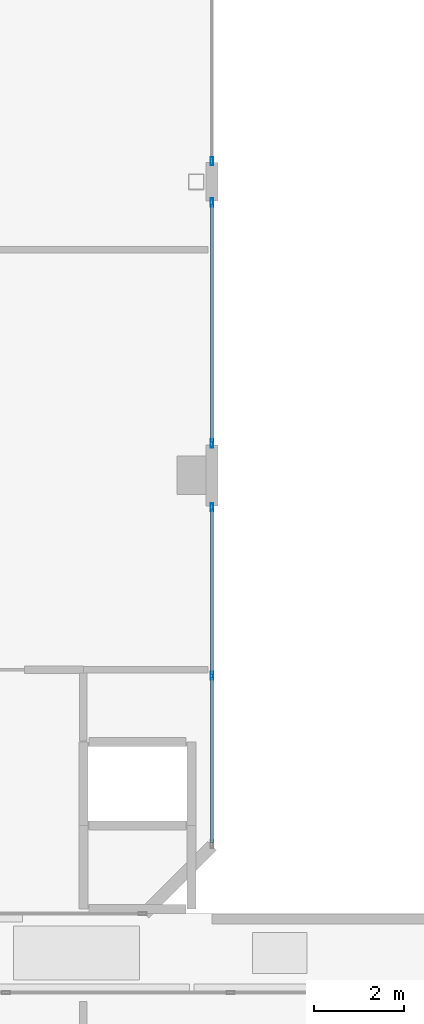
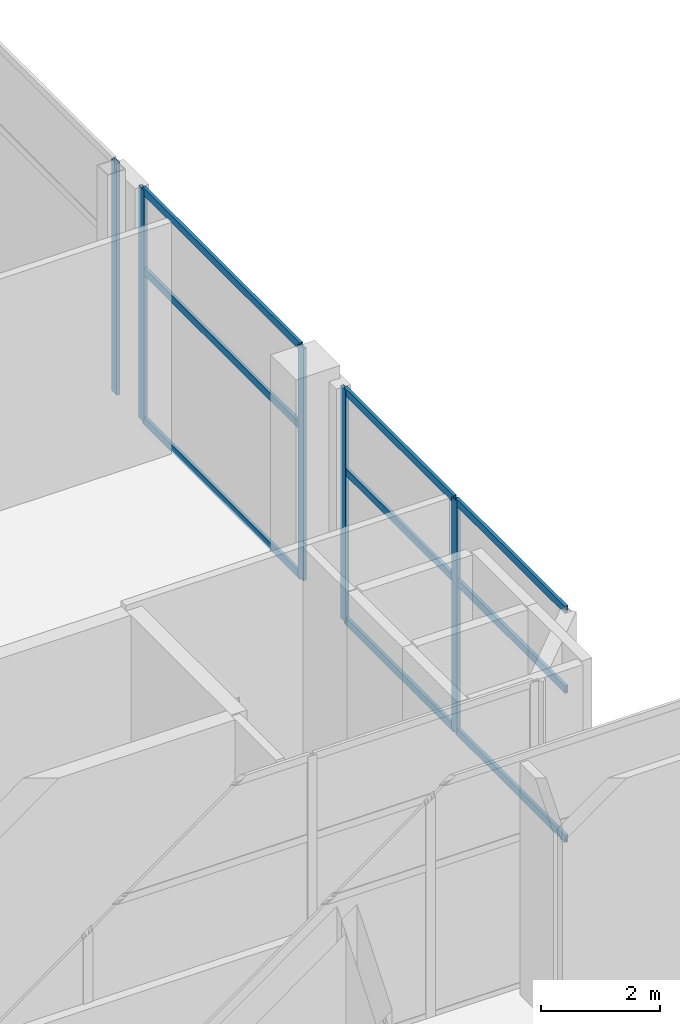
# One storey, part 11 of 18: 14 members, 3 elements without a shape of their own.
"""IFC4 building model written with IfcOpenShell, lengths in metres."""

import ifcopenshell
import ifcopenshell.guid

model = None  # the IFC model being written
_history = None  # IfcOwnerHistory: only IFC2X3 demands one
_inside = {}  # id of a spatial element -> (the spatial element, [elements in it])
_under = {}  # id of a project, library or spatial element -> (it, [spatial elements below it])
_declared = {}  # id of a project -> (the project, [libraries it declares])
_typed = {}  # id of a type object -> (the type object, [elements of that type])
_made_of = {}  # id of a material, layer set ... -> (it, [elements and type objects made of it])


def new_model(schema):
    """Start an empty IFC model of exactly this schema.

    Asked for "IFC4X3", IfcOpenShell would pick the latest addendum, in which some entities
    have other attributes; the version numbers below select the first issue.
    IFC2X3 requires an IfcOwnerHistory on every rooted entity: one is made here for all.
    """
    global model, _history
    if schema == "IFC4X3":
        model = ifcopenshell.file(schema_version=(4, 3, 0, 0))
    else:
        model = ifcopenshell.file(schema=schema)
    _inside.clear()
    _under.clear()
    _declared.clear()
    _typed.clear()
    _made_of.clear()
    _history = None
    if model.schema == "IFC2X3":
        org = make("IfcOrganization", Name="unknown")
        user = make(
            "IfcPersonAndOrganization",
            ThePerson=make("IfcPerson", FamilyName="unknown"),
            TheOrganization=org,
        )
        app = make(
            "IfcApplication",
            ApplicationDeveloper=org,
            Version="unknown",
            ApplicationFullName="unknown",
            ApplicationIdentifier="unknown",
        )
        _history = make(
            "IfcOwnerHistory",
            OwningUser=user,
            OwningApplication=app,
            ChangeAction="ADDED",
            CreationDate=0,
        )
    return model


def make(cls, **values):
    """One entity of the class cls with the attributes given. An attribute that is None is left unset."""
    return model.create_entity(
        cls, **{name: value for name, value in values.items() if value is not None}
    )


def rooted(cls, **values):
    """An entity with a GlobalId (a new one), such as an element, a storey or a relation."""
    return make(cls, GlobalId=ifcopenshell.guid.new(), OwnerHistory=_history, **values)


def si_unit(unit_type, name, prefix=None):
    """IfcSIUnit, for example si_unit("LENGTHUNIT", "METRE", prefix="MILLI")."""
    return make("IfcSIUnit", UnitType=unit_type, Prefix=prefix, Name=name)


def assignment(units):
    """IfcUnitAssignment: the units of a project."""
    return None if units is None else make("IfcUnitAssignment", Units=units)


def point(xyz):
    """IfcCartesianPoint."""
    return None if xyz is None else make("IfcCartesianPoint", Coordinates=xyz)


def direction(xyz):
    """IfcDirection."""
    return None if xyz is None else make("IfcDirection", DirectionRatios=xyz)


def frame(location, z_axis=None, x_axis=None):
    """IfcAxis2Placement3D, a coordinate frame: its origin and axes. An axis left out is left unset."""
    return make(
        "IfcAxis2Placement3D",
        Location=point(location),
        Axis=direction(z_axis),
        RefDirection=direction(x_axis),
    )


def frame_2d(location, x_axis=None):
    """IfcAxis2Placement2D, a coordinate frame in the plane: its origin and x axis."""
    return make(
        "IfcAxis2Placement2D", Location=point(location), RefDirection=direction(x_axis)
    )


def origin():
    """The frame at (0, 0, 0) with its axes left unset."""
    return frame((0.0, 0.0, 0.0))


def origin_2d():
    """The frame at (0, 0) in the plane with its x axis left unset."""
    return frame_2d((0.0, 0.0))


def place(relative_to, where):
    """IfcLocalPlacement: puts the frame where relative to a parent placement (None: the world)."""
    return make(
        "IfcLocalPlacement", PlacementRelTo=relative_to, RelativePlacement=where
    )


def context(
    kind, dimensions, precision=None, world=None, true_north=None, identifier=None
):
    """IfcGeometricRepresentationContext, for example the 3D "Model" context."""
    return make(
        "IfcGeometricRepresentationContext",
        ContextIdentifier=identifier,
        ContextType=kind,
        CoordinateSpaceDimension=dimensions,
        Precision=precision,
        WorldCoordinateSystem=world,
        TrueNorth=true_north,
    )


def subcontext(parent, identifier, kind, view, scale=None):
    """IfcGeometricRepresentationSubContext, for example "Body" below "Model"."""
    return make(
        "IfcGeometricRepresentationSubContext",
        ContextIdentifier=identifier,
        ContextType=kind,
        ParentContext=parent,
        TargetScale=scale,
        TargetView=view,
    )


def project(units=None, contexts=None):
    """IfcProject with its units and contexts."""
    return rooted(
        "IfcProject",
        Name="project",
        RepresentationContexts=contexts,
        UnitsInContext=assignment(units),
    )


def spatial(cls, under=None, at=None, **own):
    """A site, building, storey or space (cls), placed at a placement, below another one or the project."""
    s = rooted(cls, ObjectPlacement=at, **own)
    if under is not None:
        _under.setdefault(under.id(), (under, []))[1].append(s)
    return s


def profile(cls, at=None, kind="AREA", **sizes):
    """A parametric profile (cls). Its sizes go by their IFC names, for example OverallWidth=200.0."""
    return make(cls, ProfileType=kind, Position=at, **sizes)


def hollow_rectangle(**sizes):
    """IfcRectangleHollowProfileDef."""
    return profile("IfcRectangleHollowProfileDef", **sizes)


def extrude(swept, where, along, depth):
    """IfcExtrudedAreaSolid: the profile swept, set in the frame where, extruded along a direction by depth."""
    return make(
        "IfcExtrudedAreaSolid",
        SweptArea=swept,
        Position=where,
        ExtrudedDirection=direction(along),
        Depth=depth,
    )


def shape(context_of_items, identifier, shape_type, items):
    """IfcShapeRepresentation: the items that make up one representation, for example the "Body"."""
    return make(
        "IfcShapeRepresentation",
        ContextOfItems=context_of_items,
        RepresentationIdentifier=identifier,
        RepresentationType=shape_type,
        Items=items,
    )


def material(Name=None, Category=None):
    """IfcMaterial."""
    return make("IfcMaterial", Name=Name, Category=Category)


def layer(
    of_material, thickness, ventilated=None, Name=None, Category=None, Priority=None
):
    """IfcMaterialLayer: one layer of a wall or slab, of a material (None: an air gap)."""
    return make(
        "IfcMaterialLayer",
        Material=of_material,
        LayerThickness=thickness,
        IsVentilated=ventilated,
        Name=Name,
        Category=Category,
        Priority=Priority,
    )


def layer_set(layers, Name=None):
    """IfcMaterialLayerSet."""
    return make("IfcMaterialLayerSet", MaterialLayers=layers, LayerSetName=Name)


def material_profile(
    of_material, cross_section, Name=None, Category=None, Priority=None
):
    """IfcMaterialProfile: a cross section and its material."""
    return make(
        "IfcMaterialProfile",
        Name=Name,
        Material=of_material,
        Profile=cross_section,
        Priority=Priority,
        Category=Category,
    )


def profile_set(profiles, Name=None, composite=None):
    """IfcMaterialProfileSet."""
    return make(
        "IfcMaterialProfileSet",
        Name=Name,
        MaterialProfiles=profiles,
        CompositeProfile=composite,
    )


def made_of(thing, what):
    """Note that an element or type object is made of a material, layer set ...; save() writes the relation."""
    if what is not None:
        _made_of.setdefault(what.id(), (what, []))[1].append(thing)
    return thing


def type_object(cls, material=None, **own):
    """A type object (cls), such as IfcWallType, which elements share."""
    return made_of(rooted(cls, **own), material)


def element(
    cls,
    number,
    at=None,
    inside=None,
    cuts=None,
    type_object=None,
    material=None,
    context=None,
    identifier="Body",
    shape_type=None,
    held_by="IfcProductDefinitionShape",
    body=None,
    shapes=None,
    **own,
):
    """One element of the class cls, such as IfcWall. Its Tag is "e" and its number.

    at: its placement. inside: the storey or other place that contains it. cuts: it is an
    opening in that element (IfcRelVoidsElement). A single representation is given by context,
    identifier, shape_type and body (its items); several are given by shapes. held_by: the class
    of the entity that holds the representations. save() writes the other relations.
    """
    e = rooted(cls, Tag="e%d" % number, ObjectPlacement=at, **own)
    if body is not None:
        shapes = [shape(context, identifier, shape_type, body)]
    if shapes is not None:
        e.Representation = make(held_by, Representations=shapes)
    if inside is not None:
        _inside.setdefault(inside.id(), (inside, []))[1].append(e)
    if cuts is not None:
        rooted(
            "IfcRelVoidsElement", RelatingBuildingElement=cuts, RelatedOpeningElement=e
        )
    if type_object is not None:
        _typed.setdefault(type_object.id(), (type_object, []))[1].append(e)
    return made_of(e, material)


def aggregate(whole, parts):
    """IfcRelAggregates: a whole, such as a stair, and the parts it consists of."""
    return rooted("IfcRelAggregates", RelatingObject=whole, RelatedObjects=parts)


def save(model, path):
    """Write the relations noted so far, then the file.

    IfcRelAggregates (storeys below a building ...), IfcRelContainedInSpatialStructure (elements
    in a storey), IfcRelDefinesByType, IfcRelAssociatesMaterial and IfcRelDeclares: one each for
    every whole, place, type object, material and project.
    """
    for whole, parts in _under.values():
        aggregate(whole, parts)
    for where, things in _inside.values():
        rooted(
            "IfcRelContainedInSpatialStructure",
            RelatedElements=things,
            RelatingStructure=where,
        )
    for kind, things in _typed.values():
        rooted("IfcRelDefinesByType", RelatedObjects=things, RelatingType=kind)
    for what, things in _made_of.values():
        rooted("IfcRelAssociatesMaterial", RelatedObjects=things, RelatingMaterial=what)
    for by, libraries in _declared.values():
        rooted("IfcRelDeclares", RelatingContext=by, RelatedDefinitions=libraries)
    model.write(path)


model = new_model("IFC4")

# Units and contexts
model_context = context("Model", 3, precision=1e-05, world=origin(), true_north=direction((0.0, 1.0)))
body_context = subcontext(model_context, "Body", "Model", "MODEL_VIEW")
ifc_project = project(units=[si_unit("LENGTHUNIT", "METRE"), si_unit("AREAUNIT", "SQUARE_METRE"), si_unit("VOLUMEUNIT", "CUBIC_METRE"), si_unit("PLANEANGLEUNIT", "RADIAN"), si_unit("MASSUNIT", "GRAM", prefix="KILO")], contexts=[model_context])

# Site, building, storey
site_placement = place(None, origin())
site = spatial("IfcSite", under=ifc_project, at=site_placement, CompositionType="ELEMENT")
building_placement = place(site_placement, origin())
building = spatial("IfcBuilding", under=site, at=building_placement, Name="Mawjaban Terraces University", CompositionType="ELEMENT")
storey_placement = place(building_placement, frame((0.0, 0.0, 316.699951171875)))
storey = spatial("IfcBuildingStorey", under=building, at=storey_placement, Name="L77", CompositionType="ELEMENT", Elevation=316.699951171875)

# Curtain wall, members
ifc_material_1 = material(Name="Anodised aluminium 6063-T6 and solar-control low-E glass", Category="aluminium")
ifc_layer = layer(ifc_material_1, 0.199951171875)
ifc_layer_set = layer_set([ifc_layer], Name="Anodised aluminium 6063-T6 and solar-control low-E glass")
curtain_wall_type = type_object("IfcCurtainWallType", Name="CWSystem_06_ObservationCrown", PredefinedType="NOTDEFINED", material=ifc_layer_set)
curtain_wall_1_placement = place(storey_placement, origin())
curtain_wall_1 = element("IfcCurtainWall", 1, at=curtain_wall_1_placement, inside=storey, type_object=curtain_wall_type, Name="L77 Curtain Wall CW-06 Run 3.1", PredefinedType="NOTDEFINED")
ifc_material_2 = material(Name="Anodised aluminium 6063-T6", Category="aluminium")
ifc_material_profile_1 = material_profile(ifc_material_2, hollow_rectangle(XDim=0.06494140625, YDim=0.179931640625, WallThickness=0.00390625, at=origin_2d()), Name="ALU180X65X4")
ifc_profile_set_1 = profile_set([ifc_material_profile_1], Name="Anodised aluminium 6063-T6")
member_type_1 = type_object("IfcMemberType", Name="Mullion_CW-06", PredefinedType="MULLION", material=ifc_profile_set_1)
member_1_placement = place(storey_placement, frame((38.0, 19.0625, 0.0), z_axis=(0.0, 0.0, 1.0), x_axis=(-1.0, 0.0, 0.0)))
member_1 = element("IfcMember", 2, at=member_1_placement, type_object=member_type_1, Name="CW-06 mullion 2", PredefinedType="MULLION", context=body_context, shape_type="SweptSolid", body=[
    extrude(hollow_rectangle(XDim=0.06494140625, YDim=0.179931640625, WallThickness=0.00390625, at=origin_2d()), origin(), (0.0, 0.0, 1.0), 4.739990234375),
])
member_2_placement = place(storey_placement, frame((38.0, 22.79248046875, 0.0), z_axis=(0.0, 0.0, 1.0), x_axis=(-1.0, 0.0, 0.0)))
member_2 = element("IfcMember", 3, at=member_2_placement, type_object=member_type_1, Name="CW-06 mullion 3", PredefinedType="MULLION", context=body_context, shape_type="SweptSolid", body=[
    extrude(hollow_rectangle(XDim=0.06494140625, YDim=0.179931640625, WallThickness=0.00390625, at=origin_2d()), origin(), (0.0, 0.0, 1.0), 4.739990234375),
])

curtain_wall_2_placement = place(storey_placement, origin())
curtain_wall_2 = element("IfcCurtainWall", 4, at=curtain_wall_2_placement, inside=storey, type_object=curtain_wall_type, Name="L77 Curtain Wall CW-06 Run 3.2", PredefinedType="NOTDEFINED")
member_3_placement = place(storey_placement, frame((38.0, 24.20751953125, 0.0), z_axis=(0.0, 0.0, 1.0), x_axis=(-1.0, 0.0, 0.0)))
member_3 = element("IfcMember", 5, at=member_3_placement, type_object=member_type_1, Name="CW-06 mullion 1", PredefinedType="MULLION", context=body_context, shape_type="SweptSolid", body=[
    extrude(hollow_rectangle(XDim=0.06494140625, YDim=0.179931640625, WallThickness=0.00390625, at=origin_2d()), origin(), (0.0, 0.0, 1.0), 4.739990234375),
])
member_4_placement = place(storey_placement, frame((38.0, 29.54248046875, 0.0), z_axis=(0.0, 0.0, 1.0), x_axis=(-1.0, 0.0, 0.0)))
member_4 = element("IfcMember", 6, at=member_4_placement, type_object=member_type_1, Name="CW-06 mullion 2", PredefinedType="MULLION", context=body_context, shape_type="SweptSolid", body=[
    extrude(hollow_rectangle(XDim=0.06494140625, YDim=0.179931640625, WallThickness=0.00390625, at=origin_2d()), origin(), (0.0, 0.0, 1.0), 4.739990234375),
])

# Curtain wall, member
curtain_wall_3_placement = place(storey_placement, origin())
curtain_wall_3 = element("IfcCurtainWall", 7, at=curtain_wall_3_placement, inside=storey, type_object=curtain_wall_type, Name="L77 Curtain Wall CW-06 Run 3.3", PredefinedType="NOTDEFINED")
member_5_placement = place(storey_placement, frame((38.0, 30.45751953125, 0.0), z_axis=(0.0, 0.0, 1.0), x_axis=(-1.0, 0.0, 0.0)))
member_5 = element("IfcMember", 8, at=member_5_placement, type_object=member_type_1, Name="CW-06 mullion 1", PredefinedType="MULLION", context=body_context, shape_type="SweptSolid", body=[
    extrude(hollow_rectangle(XDim=0.06494140625, YDim=0.179931640625, WallThickness=0.00390625, at=origin_2d()), origin(), (0.0, 0.0, 1.0), 4.739990234375),
])
aggregate(curtain_wall_3, [member_5])

# Member
ifc_material_profile_2 = material_profile(ifc_material_2, hollow_rectangle(XDim=0.06005859375, YDim=0.14990234375, WallThickness=0.00390625, at=origin_2d()), Name="ALU150X60X4")
ifc_profile_set_2 = profile_set([ifc_material_profile_2], Name="Anodised aluminium 6063-T6")
member_type_2 = type_object("IfcMemberType", Name="Transom_CW-06", PredefinedType="NOTDEFINED", material=ifc_profile_set_2)
member_6_placement = place(storey_placement, frame((38.0, 15.364990234375, 0.030029296875), z_axis=(0.0, 1.0, 0.0), x_axis=(-1.0, 0.0, 0.0)))
member_6 = element("IfcMember", 9, at=member_6_placement, type_object=member_type_2, Name="CW-06 transom 1.1", ObjectType="TRANSOM", PredefinedType="USERDEFINED", context=body_context, shape_type="SweptSolid", body=[
    extrude(hollow_rectangle(XDim=0.06005859375, YDim=0.14990234375, WallThickness=0.00390625, at=origin_2d()), origin(), (0.0, 0.0, 1.0), 3.6650390625),
])

member_7_placement = place(storey_placement, frame((38.0, 15.364990234375, 3.0810546875), z_axis=(0.0, 1.0, 0.0), x_axis=(-1.0, 0.0, 0.0)))
member_7 = element("IfcMember", 10, at=member_7_placement, type_object=member_type_2, Name="CW-06 transom 1.2", ObjectType="TRANSOM", PredefinedType="USERDEFINED", context=body_context, shape_type="SweptSolid", body=[
    extrude(hollow_rectangle(XDim=0.06005859375, YDim=0.14990234375, WallThickness=0.00390625, at=origin_2d()), origin(), (0.0, 0.0, 1.0), 3.6650390625),
])

member_8_placement = place(storey_placement, frame((38.0, 15.364990234375, 4.7099609375), z_axis=(0.0, 1.0, 0.0), x_axis=(-1.0, 0.0, 0.0)))
member_8 = element("IfcMember", 11, at=member_8_placement, type_object=member_type_2, Name="CW-06 transom 1.3", ObjectType="TRANSOM", PredefinedType="USERDEFINED", context=body_context, shape_type="SweptSolid", body=[
    extrude(hollow_rectangle(XDim=0.06005859375, YDim=0.14990234375, WallThickness=0.00390625, at=origin_2d()), origin(), (0.0, 0.0, 1.0), 3.6650390625),
])

member_9_placement = place(storey_placement, frame((38.0, 19.094970703125, 0.030029296875), z_axis=(0.0, 1.0, 0.0), x_axis=(-1.0, 0.0, 0.0)))
member_9 = element("IfcMember", 12, at=member_9_placement, type_object=member_type_2, Name="CW-06 transom 2.1", ObjectType="TRANSOM", PredefinedType="USERDEFINED", context=body_context, shape_type="SweptSolid", body=[
    extrude(hollow_rectangle(XDim=0.06005859375, YDim=0.14990234375, WallThickness=0.00390625, at=origin_2d()), origin(), (0.0, 0.0, 1.0), 3.6650390625),
])

member_10_placement = place(storey_placement, frame((38.0, 19.094970703125, 3.0810546875), z_axis=(0.0, 1.0, 0.0), x_axis=(-1.0, 0.0, 0.0)))
member_10 = element("IfcMember", 13, at=member_10_placement, type_object=member_type_2, Name="CW-06 transom 2.2", ObjectType="TRANSOM", PredefinedType="USERDEFINED", context=body_context, shape_type="SweptSolid", body=[
    extrude(hollow_rectangle(XDim=0.06005859375, YDim=0.14990234375, WallThickness=0.00390625, at=origin_2d()), origin(), (0.0, 0.0, 1.0), 3.6650390625),
])

member_11_placement = place(storey_placement, frame((38.0, 19.094970703125, 4.7099609375), z_axis=(0.0, 1.0, 0.0), x_axis=(-1.0, 0.0, 0.0)))
member_11 = element("IfcMember", 14, at=member_11_placement, type_object=member_type_2, Name="CW-06 transom 2.3", ObjectType="TRANSOM", PredefinedType="USERDEFINED", context=body_context, shape_type="SweptSolid", body=[
    extrude(hollow_rectangle(XDim=0.06005859375, YDim=0.14990234375, WallThickness=0.00390625, at=origin_2d()), origin(), (0.0, 0.0, 1.0), 3.6650390625),
])

aggregate(curtain_wall_1, [member_1, member_2, member_6, member_7, member_8, member_9, member_10, member_11])

member_12_placement = place(storey_placement, frame((38.0, 24.239990234375, 0.030029296875), z_axis=(0.0, 1.0, 0.0), x_axis=(-1.0, 0.0, 0.0)))
member_12 = element("IfcMember", 15, at=member_12_placement, type_object=member_type_2, Name="CW-06 transom 1.1", ObjectType="TRANSOM", PredefinedType="USERDEFINED", context=body_context, shape_type="SweptSolid", body=[
    extrude(hollow_rectangle(XDim=0.06005859375, YDim=0.14990234375, WallThickness=0.00390625, at=origin_2d()), origin(), (0.0, 0.0, 1.0), 5.27001953125),
])

member_13_placement = place(storey_placement, frame((38.0, 24.239990234375, 3.0810546875), z_axis=(0.0, 1.0, 0.0), x_axis=(-1.0, 0.0, 0.0)))
member_13 = element("IfcMember", 16, at=member_13_placement, type_object=member_type_2, Name="CW-06 transom 1.2", ObjectType="TRANSOM", PredefinedType="USERDEFINED", context=body_context, shape_type="SweptSolid", body=[
    extrude(hollow_rectangle(XDim=0.06005859375, YDim=0.14990234375, WallThickness=0.00390625, at=origin_2d()), origin(), (0.0, 0.0, 1.0), 5.27001953125),
])

member_14_placement = place(storey_placement, frame((38.0, 24.239990234375, 4.7099609375), z_axis=(0.0, 1.0, 0.0), x_axis=(-1.0, 0.0, 0.0)))
member_14 = element("IfcMember", 17, at=member_14_placement, type_object=member_type_2, Name="CW-06 transom 1.3", ObjectType="TRANSOM", PredefinedType="USERDEFINED", context=body_context, shape_type="SweptSolid", body=[
    extrude(hollow_rectangle(XDim=0.06005859375, YDim=0.14990234375, WallThickness=0.00390625, at=origin_2d()), origin(), (0.0, 0.0, 1.0), 5.27001953125),
])

aggregate(curtain_wall_2, [member_3, member_4, member_12, member_13, member_14])

save(model, "model.ifc")
